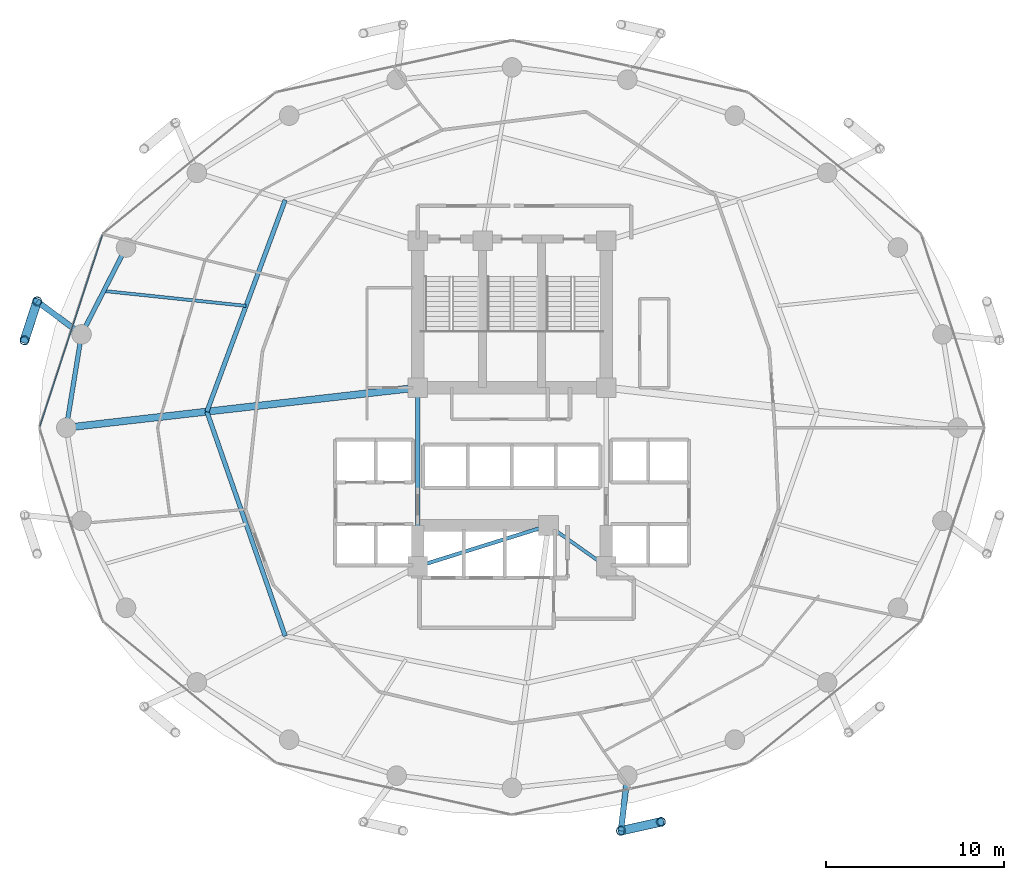
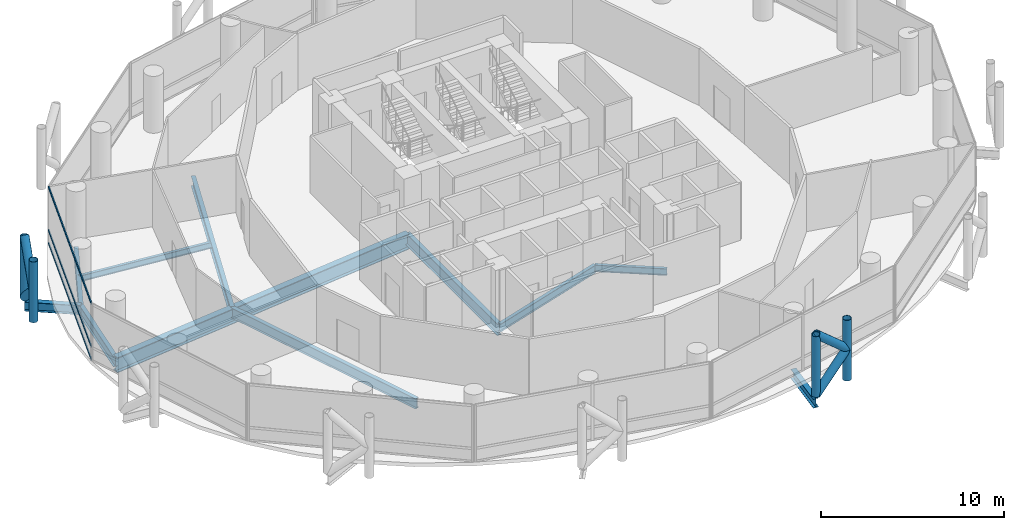
# One storey, part 7 of 24: 11 beams, 11 members, 1 element without a shape of its own.
"""IFC4 building model written with IfcOpenShell, lengths in metres."""

from ifc_helpers import new_model, si_unit, direction, frame, origin, origin_2d, place, context, subcontext, project, spatial, hollow_rectangle, hollow_circle, i_section, extrude, material, layer, layer_set, material_profile, profile_set, type_object, element, aggregate, save


model = new_model("IFC4")

# Units and contexts
model_context = context("Model", 3, precision=1e-05, world=origin(), true_north=direction((0.0, 1.0)))
body_context = subcontext(model_context, "Body", "Model", "MODEL_VIEW")
ifc_project = project(units=[si_unit("LENGTHUNIT", "METRE"), si_unit("AREAUNIT", "SQUARE_METRE"), si_unit("VOLUMEUNIT", "CUBIC_METRE"), si_unit("PLANEANGLEUNIT", "RADIAN"), si_unit("MASSUNIT", "GRAM", prefix="KILO")], contexts=[model_context])

# Site, building, storey
site_placement = place(None, origin())
site = spatial("IfcSite", under=ifc_project, at=site_placement, CompositionType="ELEMENT")
building_placement = place(site_placement, origin())
building = spatial("IfcBuilding", under=site, at=building_placement, Name="Nuhasar Tower", CompositionType="ELEMENT")
storey_placement = place(building_placement, frame((0.0, 0.0, 89.85009765625)))
storey = spatial("IfcBuildingStorey", under=building, at=storey_placement, Name="L21", CompositionType="ELEMENT", Elevation=89.85009765625)

# Beams
ifc_material_1 = material(Name="Steel S355", Category="steel")
ifc_material_profile_1 = material_profile(ifc_material_1, i_section(OverallWidth=0.25390625, OverallDepth=0.68408203125, WebThickness=0.012451171875, FlangeThickness=0.018798828125, at=origin_2d()), Name="W27X94")
ifc_profile_set_1 = profile_set([ifc_material_profile_1], Name="Steel S355")
beam_type_1 = type_object("IfcBeamType", Name="BM-INRING-W27X94", PredefinedType="BEAM", material=ifc_profile_set_1)
beam_1_placement = place(storey_placement, frame((26.251953125, 39.591064453125, -0.592041015625), z_axis=(-0.34715757476, -0.937806812881, 0.0), x_axis=(0.937806812881, -0.34715757476, 0.0)))
element("IfcBeam", 1, at=beam_1_placement, inside=storey, type_object=beam_type_1, Name="L21 Inner Header Beam 07", PredefinedType="BEAM", context=body_context, shape_type="SweptSolid", body=[
    extrude(i_section(OverallWidth=0.25390625, OverallDepth=0.68408203125, WebThickness=0.012451171875, FlangeThickness=0.018798828125, at=origin_2d()), origin(), (0.0, 0.0, 1.0), 12.6796875),
])
beam_2_placement = place(storey_placement, frame((21.85009765625, 27.699951171875, -0.592041015625), z_axis=(0.329554049858, -0.944136710558, 0.0), x_axis=(0.944136710558, 0.329554049858, 0.0)))
element("IfcBeam", 2, at=beam_2_placement, inside=storey, type_object=beam_type_1, Name="L21 Inner Header Beam 08", PredefinedType="BEAM", context=body_context, shape_type="SweptSolid", body=[
    extrude(i_section(OverallWidth=0.25390625, OverallDepth=0.68408203125, WebThickness=0.012451171875, FlangeThickness=0.018798828125, at=origin_2d()), origin(), (0.0, 0.0, 1.0), 13.35693359375),
])
ifc_material_profile_2 = material_profile(ifc_material_1, i_section(OverallWidth=0.177978515625, OverallDepth=0.406005859375, WebThickness=0.0078125, FlangeThickness=0.0126953125, at=origin_2d()), Name="W16X40")
ifc_profile_set_2 = profile_set([ifc_material_profile_2], Name="Steel S355")
beam_type_2 = type_object("IfcBeamType", Name="BM-JST-W16X40", PredefinedType="JOIST", material=ifc_profile_set_2)
beam_3_placement = place(storey_placement, frame((24.051025390625, 33.64501953125, -0.453125), z_axis=(-0.994554594377, 0.104216883485, 0.0), x_axis=(-0.104216883485, -0.994554594377, 0.0)))
element("IfcBeam", 3, at=beam_3_placement, inside=storey, type_object=beam_type_2, Name="L21 Secondary Floor Joist 07", PredefinedType="JOIST", context=body_context, shape_type="SweptSolid", body=[
    extrude(i_section(OverallWidth=0.177978515625, OverallDepth=0.406005859375, WebThickness=0.0078125, FlangeThickness=0.0126953125, at=origin_2d()), origin(), (0.0, 0.0, 1.0), 8.039794921875),
])
ifc_material_profile_3 = material_profile(ifc_material_1, i_section(OverallWidth=0.18994140625, OverallDepth=0.45703125, WebThickness=0.009033203125, FlangeThickness=0.014404296875, at=origin_2d()), Name="W18X50")
ifc_profile_set_3 = profile_set([ifc_material_profile_3], Name="Steel S355")
beam_type_3 = type_object("IfcBeamType", Name="BM-RAD-W18X50", PredefinedType="BEAM", material=ifc_profile_set_3)
beam_4_placement = place(storey_placement, frame((41.050048828125, 21.300048828125, -0.47900390625), z_axis=(0.816265428953, -0.577677028708, 0.0), x_axis=(0.577677028708, 0.816265428953, 0.0)))
element("IfcBeam", 4, at=beam_4_placement, inside=storey, type_object=beam_type_3, Name="L21 Core Ring Girder 2", PredefinedType="BEAM", context=body_context, shape_type="SweptSolid", body=[
    extrude(i_section(OverallWidth=0.18994140625, OverallDepth=0.45703125, WebThickness=0.009033203125, FlangeThickness=0.014404296875, at=origin_2d()), origin(), (0.0, 0.0, 1.0), 3.9814453125),
])
ifc_material_profile_4 = material_profile(ifc_material_1, i_section(OverallWidth=0.208984375, OverallDepth=0.532958984375, WebThickness=0.01025390625, FlangeThickness=0.015625, at=origin_2d()), Name="W21X62")
ifc_profile_set_4 = profile_set([ifc_material_profile_4], Name="Steel S355")
beam_type_4 = type_object("IfcBeamType", Name="BM-RAD-W21X62", PredefinedType="BEAM", material=ifc_profile_set_4)
beam_5_placement = place(storey_placement, frame((33.699951171875, 19.0, -0.51611328125), z_axis=(0.954363709454, 0.298646798205, 0.0), x_axis=(-0.298646798205, 0.954363709454, 0.0)))
element("IfcBeam", 5, at=beam_5_placement, inside=storey, type_object=beam_type_4, Name="L21 Core Ring Girder 1", PredefinedType="BEAM", context=body_context, shape_type="SweptSolid", body=[
    extrude(i_section(OverallWidth=0.208984375, OverallDepth=0.532958984375, WebThickness=0.01025390625, FlangeThickness=0.015625, at=origin_2d()), origin(), (0.0, 0.0, 1.0), 7.70166015625),
])
ifc_material_profile_5 = material_profile(ifc_material_1, i_section(OverallWidth=0.26611328125, OverallDepth=0.779052734375, WebThickness=0.0166015625, FlangeThickness=0.030029296875, at=origin_2d()), Name="W30X148")
ifc_profile_set_5 = profile_set([ifc_material_profile_5], Name="Steel S355")
beam_type_5 = type_object("IfcBeamType", Name="BM-RAD-W30X148", PredefinedType="BEAM", material=ifc_profile_set_5)
beam_6_placement = place(storey_placement, frame((33.699951171875, 29.050048828125, -0.64013671875), z_axis=(0.0, -1.0, 0.0), x_axis=(1.0, 0.0, 0.0)))
element("IfcBeam", 6, at=beam_6_placement, inside=storey, type_object=beam_type_5, Name="L21 Core Ring Girder 8", PredefinedType="BEAM", context=body_context, shape_type="SweptSolid", body=[
    extrude(i_section(OverallWidth=0.26611328125, OverallDepth=0.779052734375, WebThickness=0.0166015625, FlangeThickness=0.030029296875, at=origin_2d()), origin(), (0.0, 0.0, 1.0), 10.050048828125),
])
ifc_material_profile_6 = material_profile(ifc_material_1, i_section(OverallWidth=0.256103515625, OverallDepth=0.693115234375, WebThickness=0.014404296875, FlangeThickness=0.023681640625, at=origin_2d()), Name="W27X114")
ifc_profile_set_6 = profile_set([ifc_material_profile_6], Name="Steel S355")
beam_type_6 = type_object("IfcBeamType", Name="BM-RING-W27X114", PredefinedType="SPANDREL", material=ifc_profile_set_6)
beam_7_placement = place(storey_placement, frame((17.305908203125, 36.925048828125, -0.59716796875), z_axis=(-0.455930023905, -0.890015625314, 0.0), x_axis=(0.890015625314, -0.455930023905, 0.0)))
element("IfcBeam", 7, at=beam_7_placement, inside=storey, type_object=beam_type_6, Name="L21 Perimeter Ring Spandrel 11", PredefinedType="SPANDREL", context=body_context, shape_type="SweptSolid", body=[
    extrude(i_section(OverallWidth=0.256103515625, OverallDepth=0.693115234375, WebThickness=0.014404296875, FlangeThickness=0.023681640625, at=origin_2d()), origin(), (0.0, 0.0, 1.0), 5.487548828125),
])
beam_8_placement = place(storey_placement, frame((14.803955078125, 32.041015625, -0.59716796875), z_axis=(-0.160826635486, -0.986982671235, 0.0), x_axis=(0.986982671235, -0.160826635486, 0.0)))
element("IfcBeam", 8, at=beam_8_placement, inside=storey, type_object=beam_type_6, Name="L21 Perimeter Ring Spandrel 12", PredefinedType="SPANDREL", context=body_context, shape_type="SweptSolid", body=[
    extrude(i_section(OverallWidth=0.256103515625, OverallDepth=0.693115234375, WebThickness=0.014404296875, FlangeThickness=0.023681640625, at=origin_2d()), origin(), (0.0, 0.0, 1.0), 5.31005859375),
])
ifc_material_profile_7 = material_profile(ifc_material_1, i_section(OverallWidth=0.323974609375, OverallDepth=0.611083984375, WebThickness=0.0126953125, FlangeThickness=0.01904296875, at=origin_2d()), Name="W24X104")
ifc_profile_set_7 = profile_set([ifc_material_profile_7], Name="Steel S355")
beam_type_7 = type_object("IfcBeamType", Name="BM-TIE-W24X104", PredefinedType="BEAM", material=ifc_profile_set_7)
beam_9_placement = place(storey_placement, frame((14.803955078125, 32.041015625, -0.55615234375), z_axis=(-0.802151061326, 0.597121155892, 0.0), x_axis=(-0.597121155892, -0.802151061326, 0.0)))
element("IfcBeam", 9, at=beam_9_placement, inside=storey, type_object=beam_type_7, Name="L21 Exoskeleton Node Tie Beam 06", PredefinedType="BEAM", context=body_context, shape_type="SweptSolid", body=[
    extrude(i_section(OverallWidth=0.323974609375, OverallDepth=0.611083984375, WebThickness=0.0126953125, FlangeThickness=0.01904296875, at=origin_2d()), origin(), (0.0, 0.0, 1.0), 3.111328125),
])
beam_10_placement = place(storey_placement, frame((45.48291015625, 7.239990234375, -0.55615234375), z_axis=(-0.115042934281, -0.993360520291, 0.0), x_axis=(0.993360520291, -0.115042934281, 0.0)))
element("IfcBeam", 10, at=beam_10_placement, inside=storey, type_object=beam_type_7, Name="L21 Exoskeleton Node Tie Beam 10", PredefinedType="BEAM", context=body_context, shape_type="SweptSolid", body=[
    extrude(i_section(OverallWidth=0.323974609375, OverallDepth=0.611083984375, WebThickness=0.0126953125, FlangeThickness=0.01904296875, at=origin_2d()), origin(), (0.0, 0.0, 1.0), 3.11962890625),
])
ifc_material_2 = material(Name="Steel S460", Category="steel")
ifc_material_profile_8 = material_profile(ifc_material_2, i_section(OverallWidth=0.40087890625, OverallDepth=1.010009765625, WebThickness=0.023681640625, FlangeThickness=0.0419921875, at=origin_2d()), Name="W40X297")
ifc_profile_set_8 = profile_set([ifc_material_profile_8], Name="Steel S460")
beam_type_8 = type_object("IfcBeamType", Name="BM-XFER-W40X297", PredefinedType="USERDEFINED", material=ifc_profile_set_8)
beam_11_placement = place(storey_placement, frame((33.699951171875, 29.050048828125, -0.755126953125), z_axis=(-0.993573147212, -0.113191877531, 0.0), x_axis=(0.113191877531, -0.993573147212, 0.0)))
element("IfcBeam", 11, at=beam_11_placement, inside=storey, type_object=beam_type_8, Name="L21 Radial Floor Girder 08", ObjectType="GIRDER", PredefinedType="USERDEFINED", context=body_context, shape_type="SweptSolid", body=[
    extrude(i_section(OverallWidth=0.40087890625, OverallDepth=1.010009765625, WebThickness=0.023681640625, FlangeThickness=0.0419921875, at=origin_2d()), origin(), (0.0, 0.0, 1.0), 19.877685546875),
])

# Curtain wall, members
ifc_material_3 = material(Name="Aluminium 6063-T6", Category="aluminium")
ifc_layer = layer(ifc_material_3, 0.199951171875)
ifc_layer_set = layer_set([ifc_layer], Name="Aluminium 6063-T6")
curtain_wall_type = type_object("IfcCurtainWallType", Name="CW-Z1-OFF", PredefinedType="NOTDEFINED", material=ifc_layer_set)
curtain_wall_placement = place(storey_placement, origin())
curtain_wall = element("IfcCurtainWall", 12, at=curtain_wall_placement, inside=storey, type_object=curtain_wall_type, Name="L21 Unitised Curtain Wall 06", PredefinedType="NOTDEFINED")
ifc_material_profile_9 = material_profile(ifc_material_3, hollow_rectangle(XDim=0.06494140625, YDim=0.14990234375, WallThickness=0.00439453125, at=origin_2d()), Name="CWT-2")
ifc_profile_set_9 = profile_set([ifc_material_profile_9], Name="Aluminium 6063-T6")
member_type_1 = type_object("IfcMemberType", Name="CW-TRN-S2", PredefinedType="USERDEFINED", material=ifc_profile_set_9)
member_1_placement = place(storey_placement, frame((15.977783203125, 37.6181640625, 0.032470703125), z_axis=(-0.31082506089, -0.950467138581, 0.0), x_axis=(0.950467138581, -0.31082506089, 0.0)))
member_1 = element("IfcMember", 13, at=member_1_placement, type_object=member_type_1, Name="CW-Z1 transom 1.1", ObjectType="TRANSOM", PredefinedType="USERDEFINED", context=body_context, shape_type="SweptSolid", body=[
    extrude(hollow_rectangle(XDim=0.06494140625, YDim=0.14990234375, WallThickness=0.00439453125, at=origin_2d()), origin(), (0.0, 0.0, 1.0), 11.31689453125),
])
member_2_placement = place(storey_placement, frame((15.977783203125, 37.6181640625, 0.89990234375), z_axis=(-0.31082506089, -0.950467138581, 0.0), x_axis=(0.950467138581, -0.31082506089, 0.0)))
member_2 = element("IfcMember", 14, at=member_2_placement, type_object=member_type_1, Name="CW-Z1 transom 1.2", ObjectType="TRANSOM", PredefinedType="USERDEFINED", context=body_context, shape_type="SweptSolid", body=[
    extrude(hollow_rectangle(XDim=0.06494140625, YDim=0.14990234375, WallThickness=0.00439453125, at=origin_2d()), origin(), (0.0, 0.0, 1.0), 11.31689453125),
])
member_3_placement = place(storey_placement, frame((15.977783203125, 37.6181640625, 3.767333984375), z_axis=(-0.31082506089, -0.950467138581, 0.0), x_axis=(0.950467138581, -0.31082506089, 0.0)))
member_3 = element("IfcMember", 15, at=member_3_placement, type_object=member_type_1, Name="CW-Z1 transom 1.3", ObjectType="TRANSOM", PredefinedType="USERDEFINED", context=body_context, shape_type="SweptSolid", body=[
    extrude(hollow_rectangle(XDim=0.06494140625, YDim=0.14990234375, WallThickness=0.00439453125, at=origin_2d()), origin(), (0.0, 0.0, 1.0), 11.31689453125),
])
aggregate(curtain_wall, [member_1, member_2, member_3])

# Members
ifc_material_profile_10 = material_profile(ifc_material_2, hollow_circle(Radius=0.25390625, WallThickness=0.025390625, at=origin_2d()), Name="HSS508X25.4")
ifc_profile_set_10 = profile_set([ifc_material_profile_10], Name="Steel S460")
member_type_2 = type_object("IfcMemberType", Name="EXO-BRONZE-508", PredefinedType="BRACE", material=ifc_profile_set_10)
for number, where, z_axis, x_axis, name in (
    (16, (12.30810546875, 33.89892578125, 0.0), (0.0, 0.0, 1.0), (1.0, 0.0, 0.0), "L21 Exoskeleton Chord Column EC-06A"),
    (17, (11.60009765625, 31.7099609375, 0.0), (0.0, 0.0, 1.0), (1.0, 0.0, 0.0), "L21 Exoskeleton Chord Column EC-06B"),
    (18, (45.1240234375, 4.14111328125, 0.0), (0.0, 0.0, 1.0), (1.0, 0.0, 0.0), "L21 Exoskeleton Chord Column EC-10A"),
    (19, (47.3701171875, 4.639892578125, 0.0), (0.0, 0.0, 1.0), (1.0, 0.0, 0.0), "L21 Exoskeleton Chord Column EC-10B"),
):
    element("IfcMember", number, at=place(storey_placement, frame(where, z_axis=z_axis, x_axis=x_axis)), inside=storey, type_object=member_type_2, Name=name, PredefinedType="BRACE", context=body_context, shape_type="SweptSolid", body=[
        extrude(hollow_circle(Radius=0.25390625, WallThickness=0.025390625, at=origin_2d()), origin(), (0.0, 0.0, 1.0), 4.0498046875),
    ])
for number, where, z_axis, x_axis, name in (
    (20, (12.30810546875, 33.89892578125, 0.0), (-0.231011836313, -0.714224870475, 0.660693851854), (0.951468282519, -0.307746823478, 0.0), "L21 Bronze Diagrid Brace W1-06"),
    (21, (11.60009765625, 31.7099609375, 2.02490234375), (0.231011836313, 0.714224870475, 0.660693851854), (-0.951468282519, 0.307746823478, 0.0), "L21 Bronze Diagrid Brace W2-06"),
):
    element("IfcMember", number, at=place(storey_placement, frame(where, z_axis=z_axis, x_axis=x_axis)), inside=storey, type_object=member_type_2, Name=name, PredefinedType="BRACE", context=body_context, shape_type="SweptSolid", body=[
        extrude(hollow_circle(Radius=0.25390625, WallThickness=0.025390625, at=origin_2d()), origin(), (0.0, 0.0, 1.0), 3.064697265625),
    ])
for number, where, z_axis, x_axis, name in (
    (22, (45.1240234375, 4.14111328125, 0.0), (0.732830973624, 0.162736269469, 0.66066305383), (-0.216784396973, 0.976219506683, 0.0), "L21 Bronze Diagrid Brace W1-10"),
    (23, (47.3701171875, 4.639892578125, 2.02490234375), (-0.732830973624, -0.162736269469, 0.66066305383), (0.216784396973, -0.976219506683, 0.0), "L21 Bronze Diagrid Brace W2-10"),
):
    element("IfcMember", number, at=place(storey_placement, frame(where, z_axis=z_axis, x_axis=x_axis)), inside=storey, type_object=member_type_2, Name=name, PredefinedType="BRACE", context=body_context, shape_type="SweptSolid", body=[
        extrude(hollow_circle(Radius=0.25390625, WallThickness=0.025390625, at=origin_2d()), origin(), (0.0, 0.0, 1.0), 3.06494140625),
    ])

save(model, "model.ifc")
